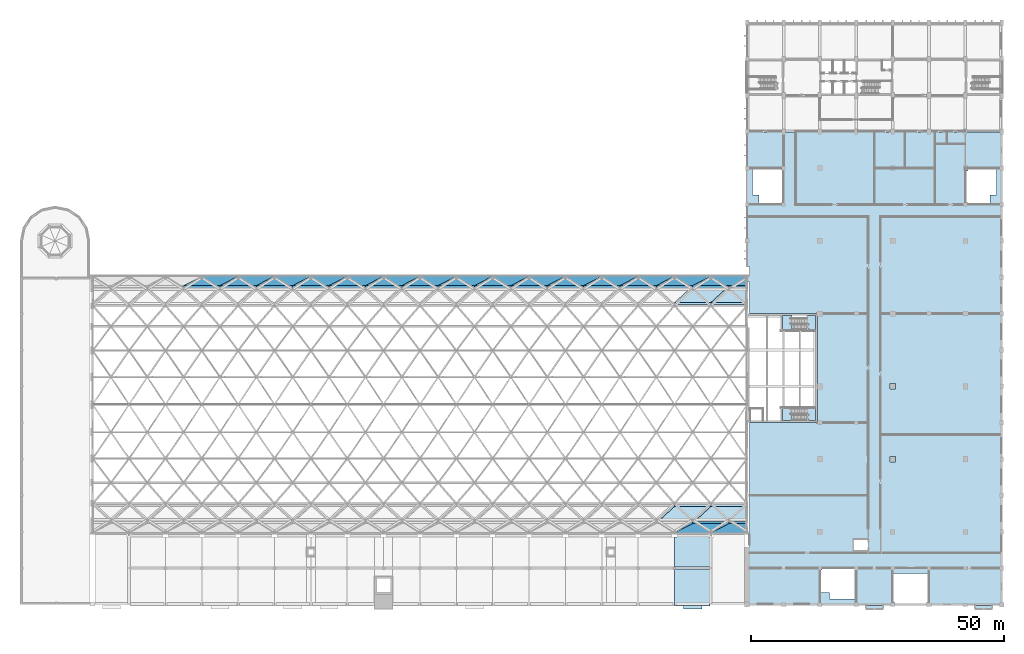
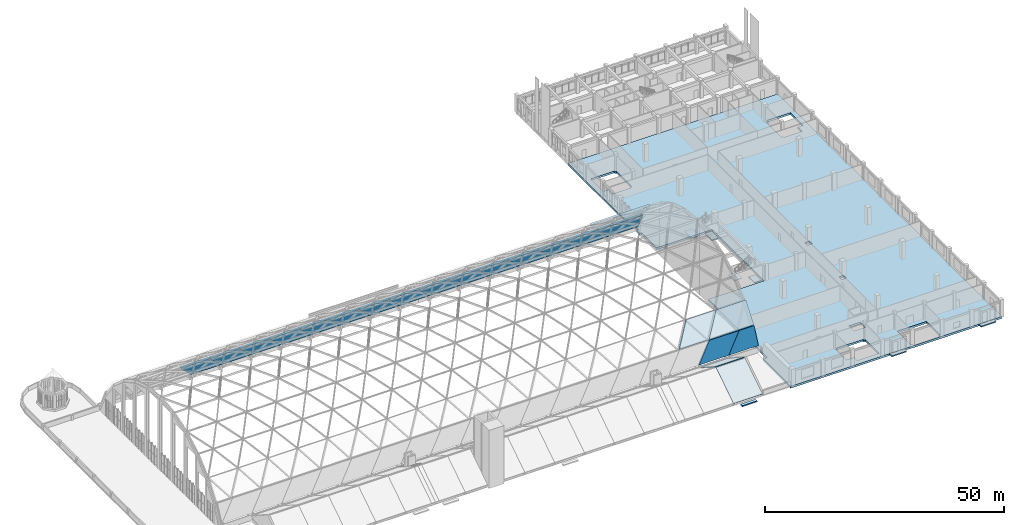
# One storey, part 29 of 52: 31 slabs, 2 elements without a shape of their own.
"""IFC4 building model written with IfcOpenShell, lengths in metres."""

from ifc_helpers import new_model, si_unit, direction, frame, origin, place, context, subcontext, project, spatial, polyline, outline, extrude, material, layer, layer_set, type_object, element, aggregate, save


model = new_model("IFC4")

# Units and contexts
model_context = context("Model", 3, precision=1e-05, world=origin(), true_north=direction((0.0, 1.0)))
body_context = subcontext(model_context, "Body", "Model", "MODEL_VIEW")
ifc_project = project(units=[si_unit("LENGTHUNIT", "METRE"), si_unit("AREAUNIT", "SQUARE_METRE"), si_unit("VOLUMEUNIT", "CUBIC_METRE"), si_unit("PLANEANGLEUNIT", "RADIAN"), si_unit("MASSUNIT", "GRAM", prefix="KILO")], contexts=[model_context])

# Site, building, storey
site_placement = place(None, origin())
site = spatial("IfcSite", under=ifc_project, at=site_placement, CompositionType="ELEMENT")
building_placement = place(site_placement, origin())
building = spatial("IfcBuilding", under=site, at=building_placement, Name="Vermilion Court Aquatics Centre", CompositionType="ELEMENT")
storey_placement = place(building_placement, frame((0.0, 0.0, 12.0)))
storey = spatial("IfcBuildingStorey", under=building, at=storey_placement, Name="L02", CompositionType="ELEMENT", Elevation=12.0)

# Slabs
ifc_material_1 = material(Name="Concrete 5000 psi", Category="concrete")
ifc_layer_1 = layer(ifc_material_1, 0.199951171875)
ifc_layer_set_1 = layer_set([ifc_layer_1], Name="Diving Tower stair landing 200")
slab_type_1 = type_object("IfcSlabType", Name="Diving Tower stair landing 200", PredefinedType="LANDING", material=ifc_layer_set_1)
slab_1_placement = place(storey_placement, frame((0.0, 0.0, -0.199951171875)))
element("IfcSlab", 1, at=slab_1_placement, inside=storey, type_object=slab_type_1, Name="Diving Stair 1 floor landing L02", PredefinedType="LANDING", context=body_context, shape_type="SweptSolid", body=[
    extrude(outline(polyline([(155.85009765625, 36.39990234375), (157.5, 36.39990234375), (157.5, 38.875), (155.85009765625, 38.875), (155.85009765625, 36.39990234375)])), origin(), (0.0, 0.0, 1.0), 0.199951171875),
])
slab_2_placement = place(storey_placement, frame((0.0, 0.0, -0.199951171875)))
element("IfcSlab", 2, at=slab_2_placement, inside=storey, type_object=slab_type_1, Name="Diving Stair 2 floor landing L02", PredefinedType="LANDING", context=body_context, shape_type="SweptSolid", body=[
    extrude(outline(polyline([(155.85009765625, 54.27490234375), (157.5, 54.27490234375), (157.5, 57.199951171875), (155.85009765625, 57.199951171875), (155.85009765625, 54.27490234375)])), origin(), (0.0, 0.0, 1.0), 0.199951171875),
])

# Stair, slab
ifc_material_2 = material(Name="Concrete 5000 psi", Category="concrete")
stair_type = type_object("IfcStairType", Name="Diving Tower stair 1130", PredefinedType="HALF_TURN_STAIR", material=ifc_material_2)
stair_1_placement = place(storey_placement, origin())
stair_1 = element("IfcStair", 3, at=stair_1_placement, inside=storey, type_object=stair_type, Name="Exit stair ST-D1 L02", PredefinedType="HALF_TURN_STAIR")
slab_3_placement = place(storey_placement, frame((0.0, 0.0, 2.050048828125)))
slab_3 = element("IfcSlab", 4, at=slab_3_placement, type_object=slab_type_1, Name="ST-D1 landing 1", PredefinedType="LANDING", context=body_context, shape_type="SweptSolid", body=[
    extrude(outline(polyline([(150.949951171875, 36.39990234375), (152.840087890625, 36.39990234375), (152.840087890625, 38.875), (150.949951171875, 38.875), (150.949951171875, 36.39990234375)])), origin(), (0.0, 0.0, 1.0), 0.199951171875),
])
aggregate(stair_1, [slab_3])

stair_2_placement = place(storey_placement, origin())
stair_2 = element("IfcStair", 5, at=stair_2_placement, inside=storey, type_object=stair_type, Name="Exit stair ST-D2 L02", PredefinedType="HALF_TURN_STAIR")
slab_4_placement = place(storey_placement, frame((0.0, 0.0, 2.050048828125)))
slab_4 = element("IfcSlab", 6, at=slab_4_placement, type_object=slab_type_1, Name="ST-D2 landing 1", PredefinedType="LANDING", context=body_context, shape_type="SweptSolid", body=[
    extrude(outline(polyline([(150.949951171875, 54.27490234375), (152.840087890625, 54.27490234375), (152.840087890625, 57.199951171875), (150.949951171875, 57.199951171875), (150.949951171875, 54.27490234375)])), origin(), (0.0, 0.0, 1.0), 0.199951171875),
])
aggregate(stair_2, [slab_4])

# Slabs
ifc_material_3 = material(Name="Concrete 5000 psi", Category="concrete")
ifc_layer_2 = layer(ifc_material_3, 0.5)
ifc_layer_set_2 = layer_set([ifc_layer_2], Name="Podium floor plate 500")
slab_type_2 = type_object("IfcSlabType", Name="Podium floor plate 500", PredefinedType="FLOOR", material=ifc_layer_set_2)
slab_5_placement = place(storey_placement, frame((0.0, 0.0, -0.5)))
element("IfcSlab", 7, at=slab_5_placement, inside=storey, type_object=slab_type_2, Name="L02 floor plate", PredefinedType="FLOOR", context=body_context, shape_type="SweptSolid", body=[
    extrude(outline(polyline([(144.5, 11.39990234375), (144.5, 36.0), (157.89990234375, 36.0), (157.89990234375, 57.60009765625), (144.5, 57.60009765625), (144.5, 63.89990234375), (144.0, 63.89990234375), (144.0, 65.300048828125), (144.5, 65.300048828125), (144.5, 66.89990234375), (143.85009765625, 66.89990234375), (143.85009765625, 93.60009765625), (194.550048828125, 93.60009765625), (194.550048828125, -0.14990234375), (143.5, -0.14990234375), (143.5, 11.39990234375), (144.5, 11.39990234375)]), holes=[polyline([(179.9375, 6.136962890625), (172.862548828125, 6.136962890625), (172.862548828125, 0.449951171875), (173.25, 0.449951171875), (173.25, 0.35009765625), (173.25, 0.0625), (179.550048828125, 0.0625), (179.550048828125, 0.35009765625), (179.550048828125, 0.449951171875), (179.9375, 0.449951171875), (179.9375, 6.136962890625)]), polyline([(158.46240234375, 2.362548828125), (160.260009765625, 2.362548828125), (160.260009765625, 1.06298828125), (165.53759765625, 1.06298828125), (165.53759765625, 6.824951171875), (165.22509765625, 6.824951171875), (165.22509765625, 7.137451171875), (158.77490234375, 7.137451171875), (158.77490234375, 6.824951171875), (158.46240234375, 6.824951171875), (158.46240234375, 2.362548828125)]), polyline([(150.800048828125, 86.0), (150.800048828125, 86.33740234375), (145.06298828125, 86.33740234375), (145.06298828125, 81.06005859375), (146.362548828125, 81.06005859375), (146.362548828125, 79.262451171875), (150.800048828125, 79.262451171875), (150.800048828125, 79.60009765625), (151.137451171875, 79.60009765625), (151.137451171875, 86.0), (150.800048828125, 86.0)]), polyline([(192.03759765625, 79.262451171875), (192.03759765625, 81.06005859375), (193.3369140625, 81.06005859375), (193.3369140625, 86.33740234375), (187.75, 86.33740234375), (187.75, 85.85009765625), (187.262451171875, 85.85009765625), (187.262451171875, 79.60009765625), (187.60009765625, 79.60009765625), (187.60009765625, 79.262451171875), (192.03759765625, 79.262451171875)]), polyline([(167.875, 12.875), (165.125, 12.875), (165.125, 10.72509765625), (167.875, 10.72509765625), (167.875, 12.875)]), polyline([(172.25, 29.35009765625), (172.25, 28.25), (173.35009765625, 28.25), (173.35009765625, 29.35009765625), (172.25, 29.35009765625)]), polyline([(173.35009765625, 43.75), (172.25, 43.75), (172.25, 42.64990234375), (173.35009765625, 42.64990234375), (173.35009765625, 43.75)])]), origin(), (0.0, 0.0, 1.0), 0.5),
])
ifc_material_4 = material(Name="Concrete 5000 psi", Category="concrete")
ifc_layer_3 = layer(ifc_material_4, 0.300048828125)
ifc_layer_set_3 = layer_set([ifc_layer_3], Name="Podium projecting bay floor slab 300")
slab_type_3 = type_object("IfcSlabType", Name="Podium projecting bay floor slab 300", PredefinedType="FLOOR", material=ifc_layer_set_3)
slab_6_placement = place(storey_placement, frame((0.0, 0.0, -0.300048828125)))
element("IfcSlab", 8, at=slab_6_placement, inside=storey, type_object=slab_type_3, Name="Projecting bay floor slab L02", PredefinedType="FLOOR", context=body_context, shape_type="SweptSolid", body=[
    extrude(outline(polyline([(171.0, -1.050048828125), (171.0, -0.14990234375), (167.39990234375, -0.14990234375), (167.39990234375, -1.050048828125), (171.0, -1.050048828125)])), origin(), (0.0, 0.0, 1.0), 0.300048828125),
])
slab_7_placement = place(storey_placement, frame((0.0, 0.0, -0.300048828125)))
element("IfcSlab", 9, at=slab_7_placement, inside=storey, type_object=slab_type_3, Name="Projecting bay floor slab L02", PredefinedType="FLOOR", context=body_context, shape_type="SweptSolid", body=[
    extrude(outline(polyline([(192.60009765625, -1.050048828125), (192.60009765625, -0.14990234375), (189.0, -0.14990234375), (189.0, -1.050048828125), (192.60009765625, -1.050048828125)])), origin(), (0.0, 0.0, 1.0), 0.300048828125),
])
ifc_material_5 = material(Name="Zinc standing seam sheet", Category="metal")
ifc_layer_4 = layer(ifc_material_5, 0.5)
ifc_layer_set_4 = layer_set([ifc_layer_4], Name="Roof insulated cover panel")
slab_type_4 = type_object("IfcSlabType", Name="Roof insulated cover panel", PredefinedType="ROOF", material=ifc_layer_set_4)
slab_8_placement = place(storey_placement, frame((129.60009765625, 14.179931640625, 1.556640625), z_axis=(0.0, -0.907449295739, 0.420161606603), x_axis=(1.0, 0.0, 0.0)))
element("IfcSlab", 10, at=slab_8_placement, inside=storey, type_object=slab_type_4, Name="Roof panel RP-00-17", PredefinedType="ROOF", context=body_context, shape_type="SweptSolid", body=[
    extrude(outline(polyline([(0.0, 0.0), (7.199951171875, 0.0), (10.7998046875, 4.404462255515163), (3.599853515625, 4.404462255515163), (0.0, 0.0)])), origin(), (0.0, 0.0, -1.0), 0.5),
])
slab_9_placement = place(storey_placement, frame((136.800048828125, 14.179931640625, 1.556640625), z_axis=(0.0, -0.907449295739, 0.420161606603), x_axis=(1.0, 0.0, 0.0)))
element("IfcSlab", 11, at=slab_9_placement, inside=storey, type_object=slab_type_4, Name="Roof panel RP-00-18", PredefinedType="ROOF", context=body_context, shape_type="SweptSolid", body=[
    extrude(outline(polyline([(0.0, 0.0), (7.199951171875, 0.0), (7.199951171875, 4.404462255515163), (3.599853515625, 4.404462255515163), (0.0, 0.0)])), origin(), (0.0, 0.0, -1.0), 0.5),
])
slab_10_placement = place(storey_placement, frame((126.0, 16.10986328125, 5.6865234375), z_axis=(0.0, -0.801705287013, 0.597719526848), x_axis=(1.0, 0.0, 0.0)))
element("IfcSlab", 12, at=slab_10_placement, inside=storey, type_object=slab_type_4, Name="Roof panel RP-01-16", PredefinedType="ROOF", context=body_context, shape_type="SweptSolid", body=[
    extrude(outline(polyline([(0.0, 0.0), (7.199951171875, 0.0), (10.800048828125, 5.50431919105559), (3.60009765625, 5.50431919105559), (0.0, 0.0)])), origin(), (0.0, 0.0, -1.0), 0.5),
])
slab_11_placement = place(storey_placement, frame((133.199951171875, 16.10986328125, 5.6865234375), z_axis=(0.0, -0.801705287013, 0.597719526848), x_axis=(1.0, 0.0, 0.0)))
element("IfcSlab", 13, at=slab_11_placement, inside=storey, type_object=slab_type_4, Name="Roof panel RP-01-17", PredefinedType="ROOF", context=body_context, shape_type="SweptSolid", body=[
    extrude(outline(polyline([(0.0, 0.0), (7.199951171875, 0.0), (10.800048828125, 0.0), (10.800048828125, 5.50431919105559), (3.60009765625, 5.50431919105559), (0.0, 0.0)])), origin(), (0.0, 0.0, -1.0), 0.5),
])
slab_12_placement = place(storey_placement, frame((129.60009765625, 59.80029296875, 10.099365234375), z_axis=(0.0, 0.801705287013, 0.597719526848), x_axis=(1.0, 0.0, 0.0)))
element("IfcSlab", 14, at=slab_12_placement, inside=storey, type_object=slab_type_4, Name="Roof panel RP-10-17", PredefinedType="ROOF", context=body_context, shape_type="SweptSolid", body=[
    extrude(outline(polyline([(0.0, 0.0), (7.199951171875, 0.0), (10.7998046875, 5.50431919105559), (3.599853515625, 5.50431919105559), (0.0, 0.0)])), origin(), (0.0, 0.0, -1.0), 0.5),
])
slab_13_placement = place(storey_placement, frame((136.800048828125, 59.80029296875, 10.099365234375), z_axis=(0.0, 0.801705287013, 0.597719526848), x_axis=(1.0, 0.0, 0.0)))
element("IfcSlab", 15, at=slab_13_placement, inside=storey, type_object=slab_type_4, Name="Roof panel RP-10-18", PredefinedType="ROOF", context=body_context, shape_type="SweptSolid", body=[
    extrude(outline(polyline([(0.0, 0.0), (7.199951171875, 0.0), (7.199951171875, 5.50431919105559), (3.599853515625, 5.50431919105559), (0.0, 0.0)])), origin(), (0.0, 0.0, -1.0), 0.5),
])
slab_14_placement = place(storey_placement, frame((32.39990234375, 63.16943359375, 5.553466796875), z_axis=(0.0, 0.907449295739, 0.420161606603), x_axis=(1.0, 0.0, 0.0)))
element("IfcSlab", 16, at=slab_14_placement, inside=storey, type_object=slab_type_4, Name="Roof panel RP-11-03", PredefinedType="ROOF", context=body_context, shape_type="SweptSolid", body=[
    extrude(outline(polyline([(0.0, 0.0), (7.2001953125, 0.0), (10.800048828125, 4.404462255515163), (3.60009765625, 4.404462255515163), (0.0, 0.0)])), origin(), (0.0, 0.0, -1.0), 0.5),
])
slab_15_placement = place(storey_placement, frame((39.60009765625, 63.16943359375, 5.553466796875), z_axis=(0.0, 0.907449295739, 0.420161606603), x_axis=(1.0, 0.0, 0.0)))
element("IfcSlab", 17, at=slab_15_placement, inside=storey, type_object=slab_type_4, Name="Roof panel RP-11-04", PredefinedType="ROOF", context=body_context, shape_type="SweptSolid", body=[
    extrude(outline(polyline([(0.0, 0.0), (7.199951171875, 0.0), (10.7998046875, 4.404462255515163), (3.599853515625, 4.404462255515163), (0.0, 0.0)])), origin(), (0.0, 0.0, -1.0), 0.5),
])
slab_16_placement = place(storey_placement, frame((46.800048828125, 63.16943359375, 5.553466796875), z_axis=(0.0, 0.907449295739, 0.420161606603), x_axis=(1.0, 0.0, 0.0)))
element("IfcSlab", 18, at=slab_16_placement, inside=storey, type_object=slab_type_4, Name="Roof panel RP-11-05", PredefinedType="ROOF", context=body_context, shape_type="SweptSolid", body=[
    extrude(outline(polyline([(0.0, 0.0), (7.199951171875, 0.0), (10.800048828125, 4.404462255515163), (3.599853515625, 4.404462255515163), (0.0, 0.0)])), origin(), (0.0, 0.0, -1.0), 0.5),
])
for number, where, z_axis, x_axis, name in (
    (19, (54.0, 63.16943359375, 5.553466796875), (0.0, 0.907449295739, 0.420161606603), (1.0, 0.0, 0.0), "Roof panel RP-11-06"),
    (20, (61.199951171875, 63.16943359375, 5.553466796875), (0.0, 0.907449295739, 0.420161606603), (1.0, 0.0, 0.0), "Roof panel RP-11-07"),
):
    element("IfcSlab", number, at=place(storey_placement, frame(where, z_axis=z_axis, x_axis=x_axis)), inside=storey, type_object=slab_type_4, Name=name, PredefinedType="ROOF", context=body_context, shape_type="SweptSolid", body=[
        extrude(outline(polyline([(0.0, 0.0), (7.199951171875, 0.0), (10.800048828125, 4.404462255515163), (3.60009765625, 4.404462255515163), (0.0, 0.0)])), origin(), (0.0, 0.0, -1.0), 0.5),
    ])
slab_17_placement = place(storey_placement, frame((68.39990234375, 63.16943359375, 5.553466796875), z_axis=(0.0, 0.907449295739, 0.420161606603), x_axis=(1.0, 0.0, 0.0)))
element("IfcSlab", 21, at=slab_17_placement, inside=storey, type_object=slab_type_4, Name="Roof panel RP-11-08", PredefinedType="ROOF", context=body_context, shape_type="SweptSolid", body=[
    extrude(outline(polyline([(0.0, 0.0), (7.2001953125, 0.0), (10.800048828125, 4.404462255515163), (3.60009765625, 4.404462255515163), (0.0, 0.0)])), origin(), (0.0, 0.0, -1.0), 0.5),
])
slab_18_placement = place(storey_placement, frame((75.60009765625, 63.16943359375, 5.553466796875), z_axis=(0.0, 0.907449295739, 0.420161606603), x_axis=(1.0, 0.0, 0.0)))
element("IfcSlab", 22, at=slab_18_placement, inside=storey, type_object=slab_type_4, Name="Roof panel RP-11-09", PredefinedType="ROOF", context=body_context, shape_type="SweptSolid", body=[
    extrude(outline(polyline([(0.0, 0.0), (7.199951171875, 0.0), (10.7998046875, 4.404462255515163), (3.599853515625, 4.404462255515163), (0.0, 0.0)])), origin(), (0.0, 0.0, -1.0), 0.5),
])
slab_19_placement = place(storey_placement, frame((82.800048828125, 63.16943359375, 5.553466796875), z_axis=(0.0, 0.907449295739, 0.420161606603), x_axis=(1.0, 0.0, 0.0)))
element("IfcSlab", 23, at=slab_19_placement, inside=storey, type_object=slab_type_4, Name="Roof panel RP-11-10", PredefinedType="ROOF", context=body_context, shape_type="SweptSolid", body=[
    extrude(outline(polyline([(0.0, 0.0), (7.199951171875, 0.0), (10.800048828125, 4.404462255515163), (3.599853515625, 4.404462255515163), (0.0, 0.0)])), origin(), (0.0, 0.0, -1.0), 0.5),
])
for number, where, z_axis, x_axis, name in (
    (24, (90.0, 63.16943359375, 5.553466796875), (0.0, 0.907449295739, 0.420161606603), (1.0, 0.0, 0.0), "Roof panel RP-11-11"),
    (25, (97.199951171875, 63.16943359375, 5.553466796875), (0.0, 0.907449295739, 0.420161606603), (1.0, 0.0, 0.0), "Roof panel RP-11-12"),
):
    element("IfcSlab", number, at=place(storey_placement, frame(where, z_axis=z_axis, x_axis=x_axis)), inside=storey, type_object=slab_type_4, Name=name, PredefinedType="ROOF", context=body_context, shape_type="SweptSolid", body=[
        extrude(outline(polyline([(0.0, 0.0), (7.199951171875, 0.0), (10.800048828125, 4.404462255515163), (3.60009765625, 4.404462255515163), (0.0, 0.0)])), origin(), (0.0, 0.0, -1.0), 0.5),
    ])
slab_20_placement = place(storey_placement, frame((104.39990234375, 63.16943359375, 5.553466796875), z_axis=(0.0, 0.907449295739, 0.420161606603), x_axis=(1.0, 0.0, 0.0)))
element("IfcSlab", 26, at=slab_20_placement, inside=storey, type_object=slab_type_4, Name="Roof panel RP-11-13", PredefinedType="ROOF", context=body_context, shape_type="SweptSolid", body=[
    extrude(outline(polyline([(0.0, 0.0), (7.2001953125, 0.0), (10.800048828125, 4.404462255515163), (3.60009765625, 4.404462255515163), (0.0, 0.0)])), origin(), (0.0, 0.0, -1.0), 0.5),
])
slab_21_placement = place(storey_placement, frame((111.60009765625, 63.16943359375, 5.553466796875), z_axis=(0.0, 0.907449295739, 0.420161606603), x_axis=(1.0, 0.0, 0.0)))
element("IfcSlab", 27, at=slab_21_placement, inside=storey, type_object=slab_type_4, Name="Roof panel RP-11-14", PredefinedType="ROOF", context=body_context, shape_type="SweptSolid", body=[
    extrude(outline(polyline([(0.0, 0.0), (7.199951171875, 0.0), (10.7998046875, 4.404462255515163), (3.599853515625, 4.404462255515163), (0.0, 0.0)])), origin(), (0.0, 0.0, -1.0), 0.5),
])
slab_22_placement = place(storey_placement, frame((118.800048828125, 63.16943359375, 5.553466796875), z_axis=(0.0, 0.907449295739, 0.420161606603), x_axis=(1.0, 0.0, 0.0)))
element("IfcSlab", 28, at=slab_22_placement, inside=storey, type_object=slab_type_4, Name="Roof panel RP-11-15", PredefinedType="ROOF", context=body_context, shape_type="SweptSolid", body=[
    extrude(outline(polyline([(0.0, 0.0), (7.199951171875, 0.0), (10.800048828125, 4.404462255515163), (3.599853515625, 4.404462255515163), (0.0, 0.0)])), origin(), (0.0, 0.0, -1.0), 0.5),
])
slab_23_placement = place(storey_placement, frame((126.0, 63.16943359375, 5.553466796875), z_axis=(0.0, 0.907449295739, 0.420161606603), x_axis=(1.0, 0.0, 0.0)))
element("IfcSlab", 29, at=slab_23_placement, inside=storey, type_object=slab_type_4, Name="Roof panel RP-11-16", PredefinedType="ROOF", context=body_context, shape_type="SweptSolid", body=[
    extrude(outline(polyline([(0.0, 0.0), (7.199951171875, 0.0), (10.800048828125, 4.404462255515163), (3.60009765625, 4.404462255515163), (0.0, 0.0)])), origin(), (0.0, 0.0, -1.0), 0.5),
])
slab_24_placement = place(storey_placement, frame((133.199951171875, 63.16943359375, 5.553466796875), z_axis=(0.0, 0.907449295739, 0.420161606603), x_axis=(1.0, 0.0, 0.0)))
element("IfcSlab", 30, at=slab_24_placement, inside=storey, type_object=slab_type_4, Name="Roof panel RP-11-17", PredefinedType="ROOF", context=body_context, shape_type="SweptSolid", body=[
    extrude(outline(polyline([(0.0, 0.0), (7.199951171875, 0.0), (10.800048828125, 0.0), (10.800048828125, 4.404462255515163), (3.60009765625, 4.404462255515163), (0.0, 0.0)])), origin(), (0.0, 0.0, -1.0), 0.5),
])
ifc_material_6 = material(Name="Concrete 5000 psi", Category="concrete")
ifc_layer_5 = layer(ifc_material_6, 0.27490234375)
ifc_layer_set_5 = layer_set([ifc_layer_5], Name="South bay roof slab 275")
slab_type_5 = type_object("IfcSlabType", Name="South bay roof slab 275", PredefinedType="ROOF", material=ifc_layer_set_5)
slab_25_placement = place(storey_placement, frame((0.0, 0.0, -0.550048828125)))
element("IfcSlab", 31, at=slab_25_placement, inside=storey, type_object=slab_type_5, Name="South bay roof slab", PredefinedType="ROOF", context=body_context, shape_type="SweptSolid", body=[
    extrude(outline(polyline([(131.39990234375, -0.89990234375), (135.0, -0.89990234375), (135.0, -0.14990234375), (131.39990234375, -0.14990234375), (131.39990234375, -0.89990234375)])), origin(), (0.0, 0.0, 1.0), 0.275146484375),
])
ifc_material_7 = material(Name="Concrete 4000 psi", Category="concrete")
ifc_layer_6 = layer(ifc_material_7, 0.159912109375)
ifc_layer_set_6 = layer_set([ifc_layer_6], Name="South roof slab terracotta tiled 160")
slab_type_6 = type_object("IfcSlabType", Name="South roof slab terracotta tiled 160", PredefinedType="ROOF", material=ifc_layer_set_6)
slab_26_placement = place(storey_placement, frame((129.60009765625, -0.300048828125, 0.579345703125), z_axis=(0.0, -0.544640288858, 0.838669753689), x_axis=(0.0, 0.838669753689, 0.544640288858)))
element("IfcSlab", 32, at=slab_26_placement, inside=storey, type_object=slab_type_6, Name="South roof slab", PredefinedType="ROOF", context=body_context, shape_type="SweptSolid", body=[
    extrude(outline(polyline([(0.0, 0.0), (8.704318709496524, 0.0), (8.704318709496524, -7.0), (0.0, -7.0), (0.0, 0.0)])), origin(), (0.0, 0.0, -1.0), 0.159912109375),
])
slab_27_placement = place(storey_placement, frame((136.60009765625, 7.39990234375, 5.320068359375), z_axis=(0.0, 0.54464029734, 0.83866974818), x_axis=(-1.0, 0.0, 0.0)))
element("IfcSlab", 33, at=slab_27_placement, inside=storey, type_object=slab_type_6, Name="South roof slab", PredefinedType="ROOF", context=body_context, shape_type="SweptSolid", body=[
    extrude(outline(polyline([(0.0, 0.0), (7.0, 0.0), (7.0, -7.15420089766457), (6.5, -7.15420089766457), (6.5, -7.810043597288452), (0.300048828125, -7.810043597288452), (0.300048828125, -7.15420089766457), (0.0, -7.15420089766457), (0.0, 0.0)])), origin(), (0.0, 0.0, -1.0), 0.159912109375),
])

save(model, "model.ifc")
